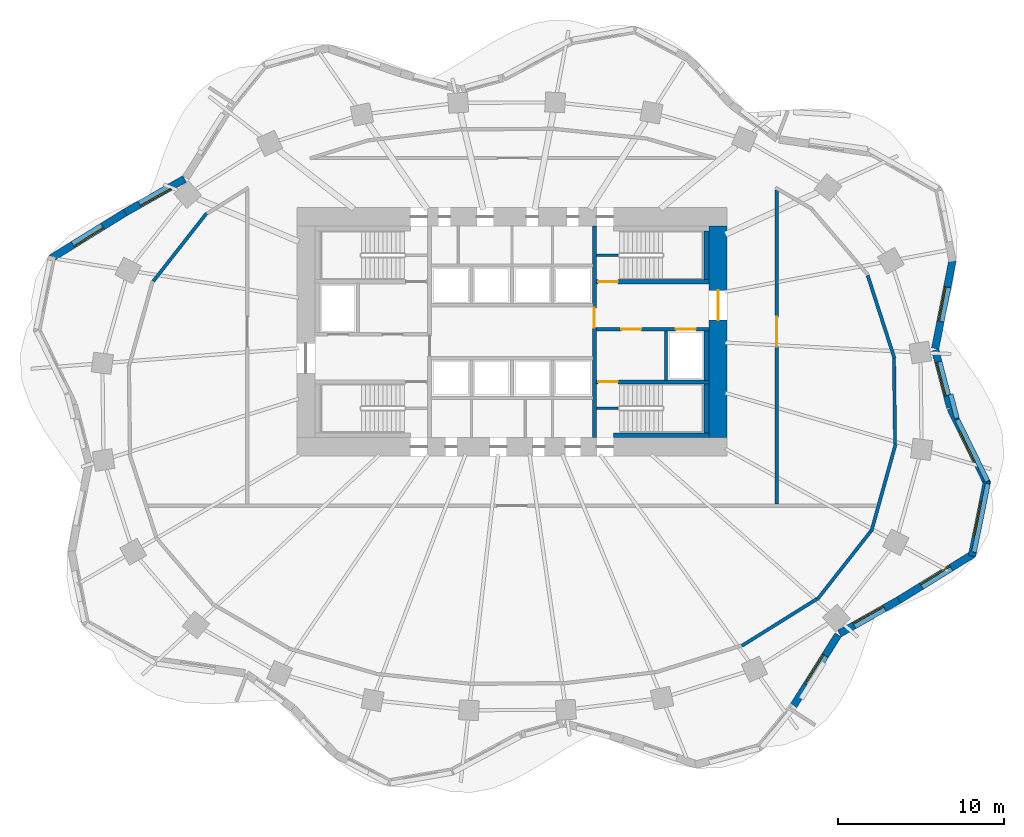
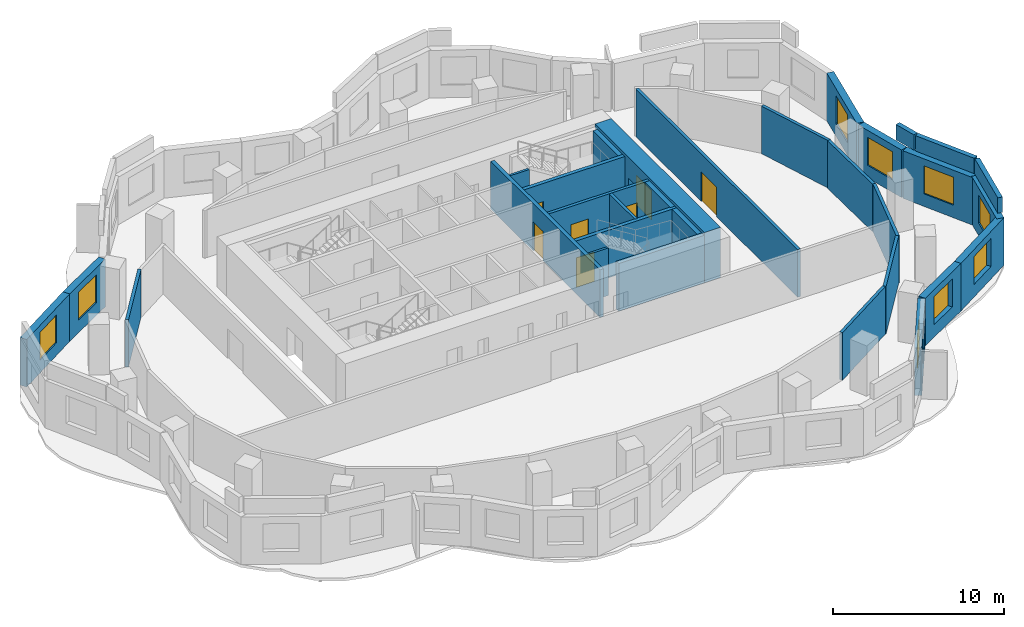
# One storey, part 5 of 8: 31 walls, 9 windows, 7 doors, 16 openings.
"""IFC4 building model written with IfcOpenShell, lengths in metres."""

from ifc_helpers import new_model, si_unit, direction, frame, frame_2d, origin, place, context, subcontext, project, spatial, rectangle, extrude, material, layer, layer_set, type_object, element, fill, save


model = new_model("IFC4")

# Units and contexts
model_context = context("Model", 3, precision=1e-05, world=origin(), true_north=direction((0.0, 1.0)))
body_context = subcontext(model_context, "Body", "Model", "MODEL_VIEW")
ifc_project = project(units=[si_unit("LENGTHUNIT", "METRE"), si_unit("AREAUNIT", "SQUARE_METRE"), si_unit("VOLUMEUNIT", "CUBIC_METRE"), si_unit("PLANEANGLEUNIT", "RADIAN"), si_unit("MASSUNIT", "GRAM", prefix="KILO")], contexts=[model_context])

# Site, building, storey
site_placement = place(None, origin())
site = spatial("IfcSite", under=ifc_project, at=site_placement, CompositionType="ELEMENT")
building_placement = place(site_placement, origin())
building = spatial("IfcBuilding", under=site, at=building_placement, Name="Rubra Terraces Tower", CompositionType="ELEMENT")
storey_placement = place(building_placement, frame((0.0, 0.0, 106.800048828125)))
storey = spatial("IfcBuildingStorey", under=building, at=storey_placement, Name="L25", CompositionType="ELEMENT", Elevation=106.800048828125)

# Wall, opening, window
ifc_material_1 = material(Name="Brick masonry red-brown", Category="masonry")
ifc_layer_1 = layer(ifc_material_1, 0.449951171875)
ifc_layer_set_1 = layer_set([ifc_layer_1], Name="Brick masonry red-brown")
wall_type_1 = type_object("IfcWallType", Name="Brick facade wall 450", PredefinedType="SOLIDWALL", material=ifc_layer_set_1)
wall_1_placement = place(storey_placement, frame((26.469482421875, -0.0791015625, 0.0), z_axis=(0.0, 0.0, 1.0), x_axis=(-0.252446779859, 0.967610780913, 0.0)))
wall_1 = element("IfcWall", 1, at=wall_1_placement, inside=storey, type_object=wall_type_1, Name="Facade wall L25 bay 1", PredefinedType="SOLIDWALL", context=body_context, shape_type="SweptSolid", body=[
    extrude(rectangle(XDim=3.5947265625, YDim=0.449951171875, at=frame_2d((1.79736328125, 0.0))), origin(), (0.0, 0.0, 1.0), 3.39990234375),
])
opening_1_placement = place(wall_1_placement, frame((0.747314453125, 0.0, 0.89990234375)))
opening_1 = element("IfcOpeningElement", 2, at=opening_1_placement, cuts=wall_1, Name="Opening W1", PredefinedType="OPENING", context=body_context, shape_type="SweptSolid", body=[
    extrude(rectangle(XDim=2.10009765625, YDim=2.0, at=frame_2d((1.050048828125, 1.0))), frame((0.0, 0.23486328125, 0.0), z_axis=(0.0, -1.0, 0.0), x_axis=(1.0, 0.0, 0.0)), (0.0, 0.0, 1.0), 0.469970703125),
])
ifc_material_2 = material(Name="Clear glass in aluminium frame", Category="aluminium")
window_type = type_object("IfcWindowType", Name="Fixed deep-set window 2100 x 2000", PartitioningType="SINGLE_PANEL", PredefinedType="WINDOW", material=ifc_material_2)
window_1_placement = place(opening_1_placement, origin())
window_1 = element("IfcWindow", 3, at=window_1_placement, inside=storey, type_object=window_type, Name="Window L25 bay 1", OverallHeight=2.0, OverallWidth=2.10009765625, PartitioningType="SINGLE_PANEL", PredefinedType="WINDOW", context=body_context, shape_type="SweptSolid", body=[
    extrude(rectangle(XDim=2.10009765625, YDim=2.0, at=frame_2d((1.050048828125, 1.0))), frame((0.0, 0.135009765625, 0.0), z_axis=(0.0, -1.0, 0.0), x_axis=(1.0, 0.0, 0.0)), (0.0, 0.0, 1.0), 0.06005859375),
])
fill(opening_1, window_1)

wall_2_placement = place(storey_placement, frame((25.561279296875, 3.490478515625, 0.0), z_axis=(0.0, 0.0, 1.0), x_axis=(0.192494026297, 0.981298145234, 0.0)))
wall_2 = element("IfcWall", 4, at=wall_2_placement, inside=storey, type_object=wall_type_1, Name="Facade wall L25 bay 2", PredefinedType="SOLIDWALL", context=body_context, shape_type="SweptSolid", body=[
    extrude(rectangle(XDim=5.446044921875, YDim=0.449951171875, at=frame_2d((2.72314453125, 0.0))), origin(), (0.0, 0.0, 1.0), 3.39990234375),
])
opening_2_placement = place(wall_2_placement, frame((1.673095703125, 0.0, 0.89990234375)))
opening_2 = element("IfcOpeningElement", 5, at=opening_2_placement, cuts=wall_2, Name="Opening W1", PredefinedType="OPENING", context=body_context, shape_type="SweptSolid", body=[
    extrude(rectangle(XDim=2.10009765625, YDim=2.0, at=frame_2d((1.050048828125, 1.0))), frame((0.0, 0.23486328125, 0.0), z_axis=(0.0, -1.0, 0.0), x_axis=(1.0, 0.0, 0.0)), (0.0, 0.0, 1.0), 0.469970703125),
])
window_2_placement = place(opening_2_placement, origin())
window_2 = element("IfcWindow", 6, at=window_2_placement, inside=storey, type_object=window_type, Name="Window L25 bay 2", OverallHeight=2.0, OverallWidth=2.10009765625, PartitioningType="SINGLE_PANEL", PredefinedType="WINDOW", context=body_context, shape_type="SweptSolid", body=[
    extrude(rectangle(XDim=2.10009765625, YDim=2.0, at=frame_2d((1.050048828125, 1.0))), frame((0.0, 0.135009765625, 0.0), z_axis=(0.0, -1.0, 0.0), x_axis=(1.0, 0.0, 0.0)), (0.0, 0.0, 1.0), 0.06005859375),
])
fill(opening_2, window_2)

wall_3_placement = place(storey_placement, frame((-19.77587890625, 13.730712890625, 0.0), z_axis=(0.0, 0.0, 1.0), x_axis=(-0.870610133829, -0.491973571318, 0.0)))
wall_3 = element("IfcWall", 7, at=wall_3_placement, inside=storey, type_object=wall_type_1, Name="Facade wall L25 bay 17", PredefinedType="SOLIDWALL", context=body_context, shape_type="SweptSolid", body=[
    extrude(rectangle(XDim=4.1337890625, YDim=0.449951171875, at=frame_2d((2.06689453125, 0.0))), origin(), (0.0, 0.0, 1.0), 3.39990234375),
])
opening_3_placement = place(wall_3_placement, frame((1.016845703125, 0.0, 0.89990234375)))
opening_3 = element("IfcOpeningElement", 8, at=opening_3_placement, cuts=wall_3, Name="Opening W1", PredefinedType="OPENING", context=body_context, shape_type="SweptSolid", body=[
    extrude(rectangle(XDim=2.10009765625, YDim=2.0, at=frame_2d((1.050048828125, 1.0))), frame((0.0, 0.23486328125, 0.0), z_axis=(0.0, -1.0, 0.0), x_axis=(1.0, 0.0, 0.0)), (0.0, 0.0, 1.0), 0.469970703125),
])
window_3_placement = place(opening_3_placement, origin())
window_3 = element("IfcWindow", 9, at=window_3_placement, inside=storey, type_object=window_type, Name="Window L25 bay 17", OverallHeight=2.0, OverallWidth=2.10009765625, PartitioningType="SINGLE_PANEL", PredefinedType="WINDOW", context=body_context, shape_type="SweptSolid", body=[
    extrude(rectangle(XDim=2.10009765625, YDim=2.0, at=frame_2d((1.050048828125, 1.0))), frame((0.0, 0.135009765625, 0.0), z_axis=(0.0, -1.0, 0.0), x_axis=(1.0, 0.0, 0.0)), (0.0, 0.0, 1.0), 0.06005859375),
])
fill(opening_3, window_3)

wall_4_placement = place(storey_placement, frame((-23.368408203125, 11.700927734375, 0.0), z_axis=(0.0, 0.0, 1.0), x_axis=(-0.850251408633, -0.526376806211, 0.0)))
wall_4 = element("IfcWall", 10, at=wall_4_placement, inside=storey, type_object=wall_type_1, Name="Facade wall L25 bay 18", PredefinedType="SOLIDWALL", context=body_context, shape_type="SweptSolid", body=[
    extrude(rectangle(XDim=5.30224609375, YDim=0.449951171875, at=frame_2d((2.651123046875, 0.0))), origin(), (0.0, 0.0, 1.0), 3.39990234375),
])
opening_4_placement = place(wall_4_placement, frame((1.601318359375, 0.0, 0.89990234375)))
opening_4 = element("IfcOpeningElement", 11, at=opening_4_placement, cuts=wall_4, Name="Opening W1", PredefinedType="OPENING", context=body_context, shape_type="SweptSolid", body=[
    extrude(rectangle(XDim=2.10009765625, YDim=2.0, at=frame_2d((1.050048828125, 1.0))), frame((0.0, 0.23486328125, 0.0), z_axis=(0.0, -1.0, 0.0), x_axis=(1.0, 0.0, 0.0)), (0.0, 0.0, 1.0), 0.469970703125),
])
window_4_placement = place(opening_4_placement, origin())
window_4 = element("IfcWindow", 12, at=window_4_placement, inside=storey, type_object=window_type, Name="Window L25 bay 18", OverallHeight=2.0, OverallWidth=2.10009765625, PartitioningType="SINGLE_PANEL", PredefinedType="WINDOW", context=body_context, shape_type="SweptSolid", body=[
    extrude(rectangle(XDim=2.10009765625, YDim=2.0, at=frame_2d((1.050048828125, 1.0))), frame((0.0, 0.135009765625, 0.0), z_axis=(0.0, -1.0, 0.0), x_axis=(1.0, 0.0, 0.0)), (0.0, 0.0, 1.0), 0.06005859375),
])
fill(opening_4, window_4)

wall_5_placement = place(storey_placement, frame((16.998291015625, -18.0986328125, 0.0), z_axis=(0.0, 0.0, 1.0), x_axis=(0.532745661304, 0.846275404559, 0.0)))
wall_5 = element("IfcWall", 13, at=wall_5_placement, inside=storey, type_object=wall_type_1, Name="Facade wall L25 bay 36", PredefinedType="SOLIDWALL", context=body_context, shape_type="SweptSolid", body=[
    extrude(rectangle(XDim=5.076171875, YDim=0.449951171875, at=frame_2d((2.5380859375, 0.0))), origin(), (0.0, 0.0, 1.0), 3.39990234375),
])
opening_5_placement = place(wall_5_placement, frame((1.488037109375, 0.0, 0.89990234375)))
opening_5 = element("IfcOpeningElement", 14, at=opening_5_placement, cuts=wall_5, Name="Opening W1", PredefinedType="OPENING", context=body_context, shape_type="SweptSolid", body=[
    extrude(rectangle(XDim=2.10009765625, YDim=2.0, at=frame_2d((1.050048828125, 1.0))), frame((0.0, 0.23486328125, 0.0), z_axis=(0.0, -1.0, 0.0), x_axis=(1.0, 0.0, 0.0)), (0.0, 0.0, 1.0), 0.469970703125),
])
window_5_placement = place(opening_5_placement, origin())
window_5 = element("IfcWindow", 15, at=window_5_placement, inside=storey, type_object=window_type, Name="Window L25 bay 36", OverallHeight=2.0, OverallWidth=2.10009765625, PartitioningType="SINGLE_PANEL", PredefinedType="WINDOW", context=body_context, shape_type="SweptSolid", body=[
    extrude(rectangle(XDim=2.10009765625, YDim=2.0, at=frame_2d((1.050048828125, 1.0))), frame((0.0, 0.135009765625, 0.0), z_axis=(0.0, -1.0, 0.0), x_axis=(1.0, 0.0, 0.0)), (0.0, 0.0, 1.0), 0.06005859375),
])
fill(opening_5, window_5)

wall_6_placement = place(storey_placement, frame((19.77587890625, -13.730712890625, 0.0), z_axis=(0.0, 0.0, 1.0), x_axis=(0.870610133829, 0.491973571318, 0.0)))
wall_6 = element("IfcWall", 16, at=wall_6_placement, inside=storey, type_object=wall_type_1, Name="Facade wall L25 bay 37", PredefinedType="SOLIDWALL", context=body_context, shape_type="SweptSolid", body=[
    extrude(rectangle(XDim=4.1337890625, YDim=0.449951171875, at=frame_2d((2.06689453125, 0.0))), origin(), (0.0, 0.0, 1.0), 3.39990234375),
])
opening_6_placement = place(wall_6_placement, frame((1.016845703125, 0.0, 0.89990234375)))
opening_6 = element("IfcOpeningElement", 17, at=opening_6_placement, cuts=wall_6, Name="Opening W1", PredefinedType="OPENING", context=body_context, shape_type="SweptSolid", body=[
    extrude(rectangle(XDim=2.10009765625, YDim=2.0, at=frame_2d((1.050048828125, 1.0))), frame((0.0, 0.23486328125, 0.0), z_axis=(0.0, -1.0, 0.0), x_axis=(1.0, 0.0, 0.0)), (0.0, 0.0, 1.0), 0.469970703125),
])
window_6_placement = place(opening_6_placement, origin())
window_6 = element("IfcWindow", 18, at=window_6_placement, inside=storey, type_object=window_type, Name="Window L25 bay 37", OverallHeight=2.0, OverallWidth=2.10009765625, PartitioningType="SINGLE_PANEL", PredefinedType="WINDOW", context=body_context, shape_type="SweptSolid", body=[
    extrude(rectangle(XDim=2.10009765625, YDim=2.0, at=frame_2d((1.050048828125, 1.0))), frame((0.0, 0.135009765625, 0.0), z_axis=(0.0, -1.0, 0.0), x_axis=(1.0, 0.0, 0.0)), (0.0, 0.0, 1.0), 0.06005859375),
])
fill(opening_6, window_6)

wall_7_placement = place(storey_placement, frame((23.368408203125, -11.700927734375, 0.0), z_axis=(0.0, 0.0, 1.0), x_axis=(0.850251408633, 0.526376806211, 0.0)))
wall_7 = element("IfcWall", 19, at=wall_7_placement, inside=storey, type_object=wall_type_1, Name="Facade wall L25 bay 38", PredefinedType="SOLIDWALL", context=body_context, shape_type="SweptSolid", body=[
    extrude(rectangle(XDim=5.30224609375, YDim=0.449951171875, at=frame_2d((2.651123046875, 0.0))), origin(), (0.0, 0.0, 1.0), 3.39990234375),
])
opening_7_placement = place(wall_7_placement, frame((1.601318359375, 0.0, 0.89990234375)))
opening_7 = element("IfcOpeningElement", 20, at=opening_7_placement, cuts=wall_7, Name="Opening W1", PredefinedType="OPENING", context=body_context, shape_type="SweptSolid", body=[
    extrude(rectangle(XDim=2.10009765625, YDim=2.0, at=frame_2d((1.050048828125, 1.0))), frame((0.0, 0.23486328125, 0.0), z_axis=(0.0, -1.0, 0.0), x_axis=(1.0, 0.0, 0.0)), (0.0, 0.0, 1.0), 0.469970703125),
])
window_7_placement = place(opening_7_placement, origin())
window_7 = element("IfcWindow", 21, at=window_7_placement, inside=storey, type_object=window_type, Name="Window L25 bay 38", OverallHeight=2.0, OverallWidth=2.10009765625, PartitioningType="SINGLE_PANEL", PredefinedType="WINDOW", context=body_context, shape_type="SweptSolid", body=[
    extrude(rectangle(XDim=2.10009765625, YDim=2.0, at=frame_2d((1.050048828125, 1.0))), frame((0.0, 0.135009765625, 0.0), z_axis=(0.0, -1.0, 0.0), x_axis=(1.0, 0.0, 0.0)), (0.0, 0.0, 1.0), 0.06005859375),
])
fill(opening_7, window_7)

wall_8_placement = place(storey_placement, frame((27.779541015625, -9.053466796875, 0.0), z_axis=(0.0, 0.0, 1.0), x_axis=(0.197796229105, 0.980243159503, 0.0)))
wall_8 = element("IfcWall", 22, at=wall_8_placement, inside=storey, type_object=wall_type_1, Name="Facade wall L25 bay 39", PredefinedType="SOLIDWALL", context=body_context, shape_type="SweptSolid", body=[
    extrude(rectangle(XDim=4.610107421875, YDim=0.449951171875, at=frame_2d((2.30517578125, 0.0))), origin(), (0.0, 0.0, 1.0), 3.39990234375),
])
opening_8_placement = place(wall_8_placement, frame((1.255126953125, 0.0, 0.89990234375)))
opening_8 = element("IfcOpeningElement", 23, at=opening_8_placement, cuts=wall_8, Name="Opening W1", PredefinedType="OPENING", context=body_context, shape_type="SweptSolid", body=[
    extrude(rectangle(XDim=2.10009765625, YDim=2.0, at=frame_2d((1.050048828125, 1.0))), frame((0.0, 0.23486328125, 0.0), z_axis=(0.0, -1.0, 0.0), x_axis=(1.0, 0.0, 0.0)), (0.0, 0.0, 1.0), 0.469970703125),
])
window_8_placement = place(opening_8_placement, origin())
window_8 = element("IfcWindow", 24, at=window_8_placement, inside=storey, type_object=window_type, Name="Window L25 bay 39", OverallHeight=2.0, OverallWidth=2.10009765625, PartitioningType="SINGLE_PANEL", PredefinedType="WINDOW", context=body_context, shape_type="SweptSolid", body=[
    extrude(rectangle(XDim=2.10009765625, YDim=2.0, at=frame_2d((1.050048828125, 1.0))), frame((0.0, 0.135009765625, 0.0), z_axis=(0.0, -1.0, 0.0), x_axis=(1.0, 0.0, 0.0)), (0.0, 0.0, 1.0), 0.06005859375),
])
fill(opening_8, window_8)

wall_9_placement = place(storey_placement, frame((28.70703125, -4.672119140625, 0.0), z_axis=(0.0, 0.0, 1.0), x_axis=(-0.439053549989, 0.898460895221, 0.0)))
wall_9 = element("IfcWall", 25, at=wall_9_placement, inside=storey, type_object=wall_type_1, Name="Facade wall L25 bay 40", PredefinedType="SOLIDWALL", context=body_context, shape_type="SweptSolid", body=[
    extrude(rectangle(XDim=5.061767578125, YDim=0.449951171875, at=frame_2d((2.53076171875, 0.0))), origin(), (0.0, 0.0, 1.0), 3.39990234375),
])
opening_9_placement = place(wall_9_placement, frame((1.48095703125, 0.0, 0.89990234375)))
opening_9 = element("IfcOpeningElement", 26, at=opening_9_placement, cuts=wall_9, Name="Opening W1", PredefinedType="OPENING", context=body_context, shape_type="SweptSolid", body=[
    extrude(rectangle(XDim=2.10009765625, YDim=2.0, at=frame_2d((1.050048828125, 1.0))), frame((0.0, 0.23486328125, 0.0), z_axis=(0.0, -1.0, 0.0), x_axis=(1.0, 0.0, 0.0)), (0.0, 0.0, 1.0), 0.469970703125),
])
window_9_placement = place(opening_9_placement, origin())
window_9 = element("IfcWindow", 27, at=window_9_placement, inside=storey, type_object=window_type, Name="Window L25 bay 40", OverallHeight=2.0, OverallWidth=2.10009765625, PartitioningType="SINGLE_PANEL", PredefinedType="WINDOW", context=body_context, shape_type="SweptSolid", body=[
    extrude(rectangle(XDim=2.10009765625, YDim=2.0, at=frame_2d((1.050048828125, 1.0))), frame((0.0, 0.135009765625, 0.0), z_axis=(0.0, -1.0, 0.0), x_axis=(1.0, 0.0, 0.0)), (0.0, 0.0, 1.0), 0.06005859375),
])
fill(opening_9, window_9)

# Walls
ifc_layer_2 = layer(ifc_material_1, 0.300048828125)
ifc_layer_set_2 = layer_set([ifc_layer_2], Name="Brick masonry red-brown")
wall_type_2 = type_object("IfcWallType", Name="Brick parapet 300", PredefinedType="PARAPET", material=ifc_layer_set_2)
wall_10_placement = place(storey_placement, frame((26.869140625, -0.72021484375, 3.599853515625), z_axis=(0.0, 0.0, 1.0), x_axis=(-0.252455198803, 0.967608584396, 0.0)))
element("IfcWall", 28, at=wall_10_placement, inside=storey, type_object=wall_type_2, Name="Parapet L25 bay 1", PredefinedType="PARAPET", context=body_context, shape_type="SweptSolid", body=[
    extrude(rectangle(XDim=1.4921875, YDim=0.300048828125, at=frame_2d((0.74609375, 0.0))), origin(), (0.0, 0.0, 1.0), 1.10009765625),
])
wall_11_placement = place(storey_placement, frame((27.90478515625, -8.8115234375, 3.599853515625), z_axis=(0.0, 0.0, 1.0), x_axis=(0.197841673862, 0.980233988435, 0.0)))
element("IfcWall", 29, at=wall_11_placement, inside=storey, type_object=wall_type_2, Name="Parapet L25 bay 39", PredefinedType="PARAPET", context=body_context, shape_type="SweptSolid", body=[
    extrude(rectangle(XDim=4.216552734375, YDim=0.300048828125, at=frame_2d((2.1083984375, 0.0))), origin(), (0.0, 0.0, 1.0), 1.10009765625),
])
wall_12_placement = place(storey_placement, frame((28.719482421875, -4.5263671875, 3.599853515625), z_axis=(0.0, 0.0, 1.0), x_axis=(-0.439134033243, 0.898421560765, 0.0)))
element("IfcWall", 30, at=wall_12_placement, inside=storey, type_object=wall_type_2, Name="Parapet L25 bay 40", PredefinedType="PARAPET", context=body_context, shape_type="SweptSolid", body=[
    extrude(rectangle(XDim=4.14306640625, YDim=0.300048828125, at=frame_2d((2.071533203125, 0.0))), origin(), (0.0, 0.0, 1.0), 1.10009765625),
])

# Wall, opening, door
ifc_material_3 = material(Name="Concrete C60", Category="concrete")
ifc_layer_3 = layer(ifc_material_3, 1.10009765625)
ifc_layer_set_3 = layer_set([ifc_layer_3], Name="Concrete C60")
wall_type_3 = type_object("IfcWallType", Name="CORE WALL 1100 C60", PredefinedType="SHEAR", material=ifc_layer_set_3)
wall_13_placement = place(storey_placement, frame((12.449951171875, -1.89990234375, 0.0), z_axis=(0.0, 0.0, 1.0), x_axis=(0.0, 1.0, 0.0)))
wall_13 = element("IfcWall", 31, at=wall_13_placement, inside=storey, type_object=wall_type_3, Name="CORE WALL E L25", PredefinedType="SHEAR", context=body_context, shape_type="SweptSolid", body=[
    extrude(rectangle(XDim=12.7998046875, YDim=1.10009765625, at=frame_2d((6.39990234375, 0.0))), origin(), (0.0, 0.0, 1.0), 3.599853515625),
])
opening_10_placement = place(wall_13_placement, frame((7.10009765625, 0.0, 0.0)))
opening_10 = element("IfcOpeningElement", 32, at=opening_10_placement, cuts=wall_13, Name="Opening L25.C02", PredefinedType="OPENING", context=body_context, shape_type="SweptSolid", body=[
    extrude(rectangle(XDim=1.800048828125, YDim=2.10009765625, at=frame_2d((0.89990234375, 1.050048828125))), frame((0.0, 0.56005859375, 0.0), z_axis=(0.0, -1.0, 0.0), x_axis=(1.0, 0.0, 0.0)), (0.0, 0.0, 1.0), 1.1201171875),
])
ifc_material_4 = material(Name="Painted steel", Category="steel")
door_type_1 = type_object("IfcDoorType", Name="Fire door 1800x2100 double", OperationType="NOTDEFINED", PredefinedType="DOOR", material=ifc_material_4)
door_1_placement = place(opening_10_placement, origin())
door_1 = element("IfcDoor", 33, at=door_1_placement, inside=storey, type_object=door_type_1, Name="Core entrance door FF2", OperationType="DOUBLE_DOOR_SINGLE_SWING", OverallHeight=2.10009765625, OverallWidth=1.800048828125, PredefinedType="DOOR", context=body_context, shape_type="SweptSolid", body=[
    extrude(rectangle(XDim=1.800048828125, YDim=2.10009765625, at=frame_2d((0.89990234375, 1.050048828125))), frame((0.0, 0.02490234375, 0.0), z_axis=(0.0, -1.0, 0.0), x_axis=(1.0, 0.0, 0.0)), (0.0, 0.0, 1.0), 0.050048828125),
])
fill(opening_10, door_1)

# Walls
ifc_material_5 = material(Name="Concrete C40", Category="concrete")
ifc_layer_4 = layer(ifc_material_5, 0.300048828125)
ifc_layer_set_4 = layer_set([ifc_layer_4], Name="Concrete C40")
wall_type_4 = type_object("IfcWallType", Name="Core lining wall 300 concrete", PredefinedType="SOLIDWALL", material=ifc_layer_set_4)
wall_14_placement = place(storey_placement, frame((11.75, 10.60009765625, 0.0), z_axis=(0.0, 0.0, 1.0), x_axis=(0.0, -1.0, 0.0)))
element("IfcWall", 34, at=wall_14_placement, inside=storey, type_object=wall_type_4, Name="CORE LINING WALL L25", PredefinedType="SOLIDWALL", context=body_context, shape_type="SweptSolid", body=[
    extrude(rectangle(XDim=2.9501953125, YDim=0.300048828125, at=frame_2d((1.47509765625, 0.0))), origin(), (0.0, 0.0, 1.0), 3.39990234375),
])
wall_15_placement = place(storey_placement, frame((11.75, 4.550048828125, 0.0), z_axis=(0.0, 0.0, 1.0), x_axis=(0.0, -1.0, 0.0)))
element("IfcWall", 35, at=wall_15_placement, inside=storey, type_object=wall_type_4, Name="CORE LINING WALL L25", PredefinedType="SOLIDWALL", context=body_context, shape_type="SweptSolid", body=[
    extrude(rectangle(XDim=3.0, YDim=0.300048828125, at=frame_2d((1.5, 0.0))), origin(), (0.0, 0.0, 1.0), 3.39990234375),
])
wall_16_placement = place(storey_placement, frame((11.75, 1.35009765625, 0.0), z_axis=(0.0, 0.0, 1.0), x_axis=(0.0, -1.0, 0.0)))
element("IfcWall", 36, at=wall_16_placement, inside=storey, type_object=wall_type_4, Name="CORE LINING WALL L25", PredefinedType="SOLIDWALL", context=body_context, shape_type="SweptSolid", body=[
    extrude(rectangle(XDim=2.9501953125, YDim=0.300048828125, at=frame_2d((1.47509765625, 0.0))), origin(), (0.0, 0.0, 1.0), 3.39990234375),
])
wall_17_placement = place(storey_placement, frame((11.89990234375, -1.75, 0.0), z_axis=(0.0, 0.0, 1.0), x_axis=(-1.0, 0.0, 0.0)))
element("IfcWall", 37, at=wall_17_placement, inside=storey, type_object=wall_type_4, Name="CORE LINING WALL L25", PredefinedType="SOLIDWALL", context=body_context, shape_type="SweptSolid", body=[
    extrude(rectangle(XDim=5.77978515625, YDim=0.300048828125, at=frame_2d((2.889892578125, 0.0))), origin(), (0.0, 0.0, 1.0), 3.39990234375),
])

# Wall, openings, doors
ifc_material_6 = material(Name="Concrete C30", Category="concrete")
ifc_layer_5 = layer(ifc_material_6, 0.199951171875)
ifc_layer_set_5 = layer_set([ifc_layer_5], Name="Concrete C30")
wall_type_5 = type_object("IfcWallType", Name="Core wall 200 concrete", PredefinedType="SOLIDWALL", material=ifc_layer_set_5)
wall_18_placement = place(storey_placement, frame((11.89990234375, 4.64990234375, 0.0), z_axis=(0.0, 0.0, 1.0), x_axis=(-1.0, 0.0, 0.0)))
wall_18 = element("IfcWall", 38, at=wall_18_placement, inside=storey, type_object=wall_type_5, Name="STAIR WALL L25", PredefinedType="SOLIDWALL", context=body_context, shape_type="SweptSolid", body=[
    extrude(rectangle(XDim=6.7998046875, YDim=0.199951171875, at=frame_2d((3.39990234375, 0.0))), origin(), (0.0, 0.0, 1.0), 3.39990234375),
])
opening_11_placement = place(wall_18_placement, frame((4.10009765625, 0.0, 0.0)))
opening_11 = element("IfcOpeningElement", 39, at=opening_11_placement, cuts=wall_18, Name="Opening L25.C06", PredefinedType="OPENING", context=body_context, shape_type="SweptSolid", body=[
    extrude(rectangle(XDim=1.199951171875, YDim=2.10009765625, at=frame_2d((0.60009765625, 1.050048828125))), frame((0.0, 0.10986328125, 0.0), z_axis=(0.0, -1.0, 0.0), x_axis=(1.0, 0.0, 0.0)), (0.0, 0.0, 1.0), 0.219970703125),
])
opening_12_placement = place(wall_18_placement, frame((0.800048828125, 0.0, 0.0)))
opening_12 = element("IfcOpeningElement", 40, at=opening_12_placement, cuts=wall_18, Name="Opening L25.C12", PredefinedType="OPENING", context=body_context, shape_type="SweptSolid", body=[
    extrude(rectangle(XDim=1.199951171875, YDim=2.10009765625, at=frame_2d((0.60009765625, 1.050048828125))), frame((0.0, 0.10986328125, 0.0), z_axis=(0.0, -1.0, 0.0), x_axis=(1.0, 0.0, 0.0)), (0.0, 0.0, 1.0), 0.219970703125),
])
door_type_2 = type_object("IfcDoorType", Name="Fire door 1200x2100 single", OperationType="NOTDEFINED", PredefinedType="DOOR", material=ifc_material_4)
door_2_placement = place(opening_11_placement, origin())
door_2 = element("IfcDoor", 41, at=door_2_placement, inside=storey, type_object=door_type_2, Name="Stair vestibule door S4", OperationType="SINGLE_SWING_RIGHT", OverallHeight=2.10009765625, OverallWidth=1.199951171875, PredefinedType="DOOR", context=body_context, shape_type="SweptSolid", body=[
    extrude(rectangle(XDim=1.199951171875, YDim=2.10009765625, at=frame_2d((0.60009765625, 1.050048828125))), frame((0.0, 0.02490234375, 0.0), z_axis=(0.0, -1.0, 0.0), x_axis=(1.0, 0.0, 0.0)), (0.0, 0.0, 1.0), 0.050048828125),
])
fill(opening_11, door_2)
ifc_material_7 = material(Name="Stainless steel", Category="steel")
door_type_3 = type_object("IfcDoorType", Name="Lift landing door 1200x2100", OperationType="NOTDEFINED", PredefinedType="DOOR", material=ifc_material_7)
door_3_placement = place(opening_12_placement, origin())
door_3 = element("IfcDoor", 42, at=door_3_placement, inside=storey, type_object=door_type_3, Name="Landing door FF2", OperationType="SLIDING_TO_RIGHT", OverallHeight=2.10009765625, OverallWidth=1.199951171875, PredefinedType="DOOR", context=body_context, shape_type="SweptSolid", body=[
    extrude(rectangle(XDim=1.199951171875, YDim=2.10009765625, at=frame_2d((0.60009765625, 1.050048828125))), frame((0.0, 0.02490234375, 0.0), z_axis=(0.0, -1.0, 0.0), x_axis=(1.0, 0.0, 0.0)), (0.0, 0.0, 1.0), 0.050048828125),
])
fill(opening_12, door_3)

# Walls
wall_19_placement = place(storey_placement, frame((9.300048828125, 4.550048828125, 0.0), z_axis=(0.0, 0.0, 1.0), x_axis=(0.0, -1.0, 0.0)))
element("IfcWall", 43, at=wall_19_placement, inside=storey, type_object=wall_type_5, Name="STAIR WALL L25", PredefinedType="SOLIDWALL", context=body_context, shape_type="SweptSolid", body=[
    extrude(rectangle(XDim=3.0, YDim=0.199951171875, at=frame_2d((1.5, 0.0))), origin(), (0.0, 0.0, 1.0), 3.39990234375),
])
ifc_material_8 = material(Name="Blockwork", Category="masonry")
ifc_layer_6 = layer(ifc_material_8, 0.199951171875)
ifc_layer_set_6 = layer_set([ifc_layer_6], Name="Blockwork")
wall_type_6 = type_object("IfcWallType", Name="Corridor partition 200 blockwork", PredefinedType="PARTITIONING", material=ifc_layer_set_6)
wall_20_placement = place(storey_placement, frame((23.1669921875, -2.294921875, 0.0), z_axis=(0.0, 0.0, 1.0), x_axis=(-0.267604764515, -0.963528769684, 0.0)))
element("IfcWall", 44, at=wall_20_placement, inside=storey, type_object=wall_type_6, Name="Partition wall", PredefinedType="PARTITIONING", context=body_context, shape_type="SweptSolid", body=[
    extrude(rectangle(XDim=5.474853515625, YDim=0.199951171875, at=frame_2d((2.7373046875, 0.0))), origin(), (0.0, 0.0, 1.0), 3.39990234375),
])
wall_21_placement = place(storey_placement, frame((21.6669921875, -7.552978515625, 0.0), z_axis=(0.0, 0.0, 1.0), x_axis=(-0.617143909163, -0.786850300491, 0.0)))
element("IfcWall", 45, at=wall_21_placement, inside=storey, type_object=wall_type_6, Name="Partition wall", PredefinedType="PARTITIONING", context=body_context, shape_type="SweptSolid", body=[
    extrude(rectangle(XDim=5.220703125, YDim=0.199951171875, at=frame_2d((2.6103515625, 0.0))), origin(), (0.0, 0.0, 1.0), 3.39990234375),
])
wall_22_placement = place(storey_placement, frame((18.422119140625, -11.635009765625, 0.0), z_axis=(0.0, 0.0, 1.0), x_axis=(-0.848223876435, -0.529637853108, 0.0)))
element("IfcWall", 46, at=wall_22_placement, inside=storey, type_object=wall_type_6, Name="Partition wall", PredefinedType="PARTITIONING", context=body_context, shape_type="SweptSolid", body=[
    extrude(rectangle(XDim=5.348876953125, YDim=0.199951171875, at=frame_2d((2.67431640625, 0.0))), origin(), (0.0, 0.0, 1.0), 3.39990234375),
])
wall_23_placement = place(storey_placement, frame((-21.6669921875, 7.552978515625, 0.0), z_axis=(0.0, 0.0, 1.0), x_axis=(0.617143909163, 0.786850300491, 0.0)))
element("IfcWall", 47, at=wall_23_placement, inside=storey, type_object=wall_type_6, Name="Partition wall", PredefinedType="PARTITIONING", context=body_context, shape_type="SweptSolid", body=[
    extrude(rectangle(XDim=5.220703125, YDim=0.199951171875, at=frame_2d((2.6103515625, 0.0))), origin(), (0.0, 0.0, 1.0), 3.39990234375),
])
wall_24_placement = place(storey_placement, frame((21.486083984375, 7.89501953125, 0.0), z_axis=(0.0, 0.0, 1.0), x_axis=(0.307481575482, -0.951554034587, 0.0)))
element("IfcWall", 48, at=wall_24_placement, inside=storey, type_object=wall_type_6, Name="Partition wall", PredefinedType="PARTITIONING", context=body_context, shape_type="SweptSolid", body=[
    extrude(rectangle(XDim=5.2587890625, YDim=0.199951171875, at=frame_2d((2.62939453125, 0.0))), origin(), (0.0, 0.0, 1.0), 3.39990234375),
])
wall_25_placement = place(storey_placement, frame((23.072998046875, 2.885986328125, 0.0), z_axis=(0.0, 0.0, 1.0), x_axis=(0.012731813994, -0.999918947171, 0.0)))
element("IfcWall", 49, at=wall_25_placement, inside=storey, type_object=wall_type_6, Name="Partition wall", PredefinedType="PARTITIONING", context=body_context, shape_type="SweptSolid", body=[
    extrude(rectangle(XDim=5.177490234375, YDim=0.199951171875, at=frame_2d((2.5888671875, 0.0))), origin(), (0.0, 0.0, 1.0), 3.39990234375),
])

# Wall, opening, door
wall_26_placement = place(storey_placement, frame((16.0, -5.89990234375, 0.0), z_axis=(0.0, 0.0, 1.0), x_axis=(0.0, 1.0, 0.0)))
wall_26 = element("IfcWall", 50, at=wall_26_placement, inside=storey, type_object=wall_type_6, Name="Partition wall", PredefinedType="PARTITIONING", context=body_context, shape_type="SweptSolid", body=[
    extrude(rectangle(XDim=18.951904296875, YDim=0.199951171875, at=frame_2d((9.47607421875, 0.0))), origin(), (0.0, 0.0, 1.0), 3.39990234375),
])
opening_13_placement = place(wall_26_placement, frame((9.5, 0.0, 0.0)))
opening_13 = element("IfcOpeningElement", 51, at=opening_13_placement, cuts=wall_26, Name="Opening DB3", PredefinedType="OPENING", context=body_context, shape_type="SweptSolid", body=[
    extrude(rectangle(XDim=1.800048828125, YDim=2.10009765625, at=frame_2d((0.89990234375, 1.050048828125))), frame((0.0, 0.10986328125, 0.0), z_axis=(0.0, -1.0, 0.0), x_axis=(1.0, 0.0, 0.0)), (0.0, 0.0, 1.0), 0.219970703125),
])
door_type_4 = type_object("IfcDoorType", Name="Door 1800x2100 double", OperationType="NOTDEFINED", PredefinedType="DOOR", material=ifc_material_4)
door_4_placement = place(opening_13_placement, origin())
door_4 = element("IfcDoor", 52, at=door_4_placement, inside=storey, type_object=door_type_4, Name="Refuge area door L25-03", OperationType="DOUBLE_DOOR_SINGLE_SWING", OverallHeight=2.10009765625, OverallWidth=1.800048828125, PredefinedType="DOOR", context=body_context, shape_type="SweptSolid", body=[
    extrude(rectangle(XDim=1.800048828125, YDim=2.10009765625, at=frame_2d((0.89990234375, 1.050048828125))), frame((0.0, 0.02490234375, 0.0), z_axis=(0.0, -1.0, 0.0), x_axis=(1.0, 0.0, 0.0)), (0.0, 0.0, 1.0), 0.050048828125),
])
fill(opening_13, door_4)

ifc_layer_7 = layer(ifc_material_5, 0.25)
ifc_layer_set_7 = layer_set([ifc_layer_7], Name="Concrete C40")
wall_type_7 = type_object("IfcWallType", Name="Stair enclosure wall 250 concrete", PredefinedType="SOLIDWALL", material=ifc_layer_set_7)
wall_27_placement = place(storey_placement, frame((11.89990234375, 7.52490234375, 0.0), z_axis=(0.0, 0.0, 1.0), x_axis=(-1.0, 0.0, 0.0)))
wall_27 = element("IfcWall", 53, at=wall_27_placement, inside=storey, type_object=wall_type_7, Name="STAIR WALL L25", PredefinedType="SOLIDWALL", context=body_context, shape_type="SweptSolid", body=[
    extrude(rectangle(XDim=6.7998046875, YDim=0.25, at=frame_2d((3.39990234375, 0.0))), origin(), (0.0, 0.0, 1.0), 3.39990234375),
])
opening_14_placement = place(wall_27_placement, frame((5.5, 0.0, 0.0)))
opening_14 = element("IfcOpeningElement", 54, at=opening_14_placement, cuts=wall_27, Name="Opening L25.C08", PredefinedType="OPENING", context=body_context, shape_type="SweptSolid", body=[
    extrude(rectangle(XDim=1.199951171875, YDim=2.10009765625, at=frame_2d((0.60009765625, 1.050048828125))), frame((0.0, 0.135009765625, 0.0), z_axis=(0.0, -1.0, 0.0), x_axis=(1.0, 0.0, 0.0)), (0.0, 0.0, 1.0), 0.27001953125),
])
door_5_placement = place(opening_14_placement, origin())
door_5 = element("IfcDoor", 55, at=door_5_placement, inside=storey, type_object=door_type_2, Name="Stair door S3", OperationType="SINGLE_SWING_RIGHT", OverallHeight=2.10009765625, OverallWidth=1.199951171875, PredefinedType="DOOR", context=body_context, shape_type="SweptSolid", body=[
    extrude(rectangle(XDim=1.199951171875, YDim=2.10009765625, at=frame_2d((0.60009765625, 1.050048828125))), frame((0.0, 0.02490234375, 0.0), z_axis=(0.0, -1.0, 0.0), x_axis=(1.0, 0.0, 0.0)), (0.0, 0.0, 1.0), 0.050048828125),
])
fill(opening_14, door_5)

wall_28_placement = place(storey_placement, frame((11.89990234375, 1.47509765625, 0.0), z_axis=(0.0, 0.0, 1.0), x_axis=(-1.0, 0.0, 0.0)))
wall_28 = element("IfcWall", 56, at=wall_28_placement, inside=storey, type_object=wall_type_7, Name="STAIR WALL L25", PredefinedType="SOLIDWALL", context=body_context, shape_type="SweptSolid", body=[
    extrude(rectangle(XDim=6.7998046875, YDim=0.25, at=frame_2d((3.39990234375, 0.0))), origin(), (0.0, 0.0, 1.0), 3.39990234375),
])
opening_15_placement = place(wall_28_placement, frame((5.5, 0.0, 0.0)))
opening_15 = element("IfcOpeningElement", 57, at=opening_15_placement, cuts=wall_28, Name="Opening L25.C10", PredefinedType="OPENING", context=body_context, shape_type="SweptSolid", body=[
    extrude(rectangle(XDim=1.199951171875, YDim=2.10009765625, at=frame_2d((0.60009765625, 1.050048828125))), frame((0.0, 0.135009765625, 0.0), z_axis=(0.0, -1.0, 0.0), x_axis=(1.0, 0.0, 0.0)), (0.0, 0.0, 1.0), 0.27001953125),
])
door_6_placement = place(opening_15_placement, origin())
door_6 = element("IfcDoor", 58, at=door_6_placement, inside=storey, type_object=door_type_2, Name="Stair door S4", OperationType="SINGLE_SWING_RIGHT", OverallHeight=2.10009765625, OverallWidth=1.199951171875, PredefinedType="DOOR", context=body_context, shape_type="SweptSolid", body=[
    extrude(rectangle(XDim=1.199951171875, YDim=2.10009765625, at=frame_2d((0.60009765625, 1.050048828125))), frame((0.0, 0.02490234375, 0.0), z_axis=(0.0, -1.0, 0.0), x_axis=(1.0, 0.0, 0.0)), (0.0, 0.0, 1.0), 0.050048828125),
])
fill(opening_15, door_6)

wall_29_placement = place(storey_placement, frame((4.97509765625, 10.89990234375, 0.0), z_axis=(0.0, 0.0, 1.0), x_axis=(0.0, -1.0, 0.0)))
wall_29 = element("IfcWall", 59, at=wall_29_placement, inside=storey, type_object=wall_type_7, Name="CORE LOBBY WALL L25", PredefinedType="SOLIDWALL", context=body_context, shape_type="SweptSolid", body=[
    extrude(rectangle(XDim=12.7998046875, YDim=0.25, at=frame_2d((6.39990234375, 0.0))), origin(), (0.0, 0.0, 1.0), 3.39990234375),
])
opening_16_placement = place(wall_29_placement, frame((4.949951171875, 0.0, 0.0)))
opening_16 = element("IfcOpeningElement", 60, at=opening_16_placement, cuts=wall_29, Name="Opening L25.C04", PredefinedType="OPENING", context=body_context, shape_type="SweptSolid", body=[
    extrude(rectangle(XDim=1.199951171875, YDim=2.10009765625, at=frame_2d((0.60009765625, 1.050048828125))), frame((0.0, 0.135009765625, 0.0), z_axis=(0.0, -1.0, 0.0), x_axis=(1.0, 0.0, 0.0)), (0.0, 0.0, 1.0), 0.27001953125),
])
door_7_placement = place(opening_16_placement, origin())
door_7 = element("IfcDoor", 61, at=door_7_placement, inside=storey, type_object=door_type_2, Name="Firefighting lobby door FF2", OperationType="SINGLE_SWING_RIGHT", OverallHeight=2.10009765625, OverallWidth=1.199951171875, PredefinedType="DOOR", context=body_context, shape_type="SweptSolid", body=[
    extrude(rectangle(XDim=1.199951171875, YDim=2.10009765625, at=frame_2d((0.60009765625, 1.050048828125))), frame((0.0, 0.02490234375, 0.0), z_axis=(0.0, -1.0, 0.0), x_axis=(1.0, 0.0, 0.0)), (0.0, 0.0, 1.0), 0.050048828125),
])
fill(opening_16, door_7)

# Walls
ifc_layer_8 = layer(ifc_material_5, 0.14990234375)
ifc_layer_set_8 = layer_set([ifc_layer_8], Name="Concrete C40")
wall_type_8 = type_object("IfcWallType", Name="Stair separation wall 150 concrete", PredefinedType="SOLIDWALL", material=ifc_layer_set_8)
for number, where, z_axis, x_axis, name in (
    (62, (6.39990234375, 9.125, 0.0), (0.0, 0.0, 1.0), (-1.0, 0.0, 0.0), "STAIR SEPARATION WALL L25"),
    (63, (6.39990234375, -0.125, 0.0), (0.0, 0.0, 1.0), (-1.0, 0.0, 0.0), "STAIR SEPARATION WALL L25"),
):
    element("IfcWall", number, at=place(storey_placement, frame(where, z_axis=z_axis, x_axis=x_axis)), inside=storey, type_object=wall_type_8, Name=name, PredefinedType="SOLIDWALL", context=body_context, shape_type="SweptSolid", body=[
        extrude(rectangle(XDim=1.2998046875, YDim=0.14990234375, at=frame_2d((0.64990234375, 0.0))), origin(), (0.0, 0.0, 1.0), 3.39990234375),
    ])

save(model, "model.ifc")
